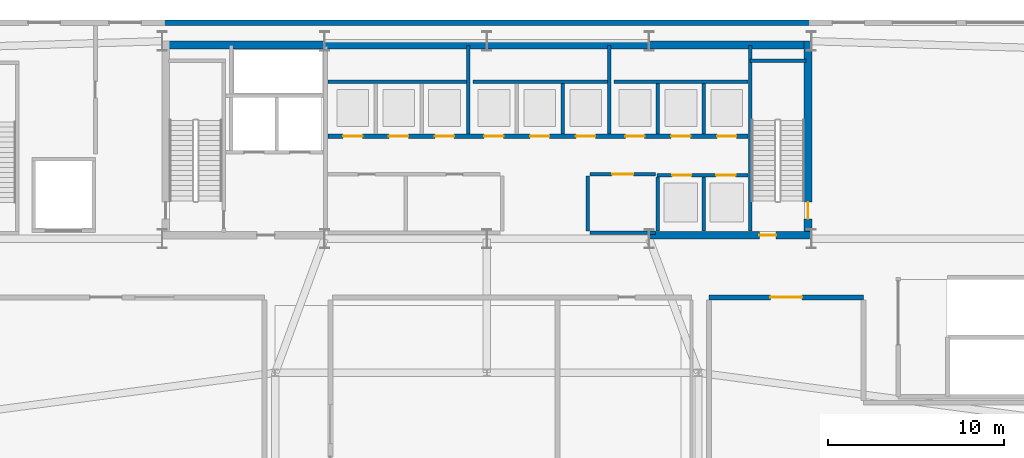
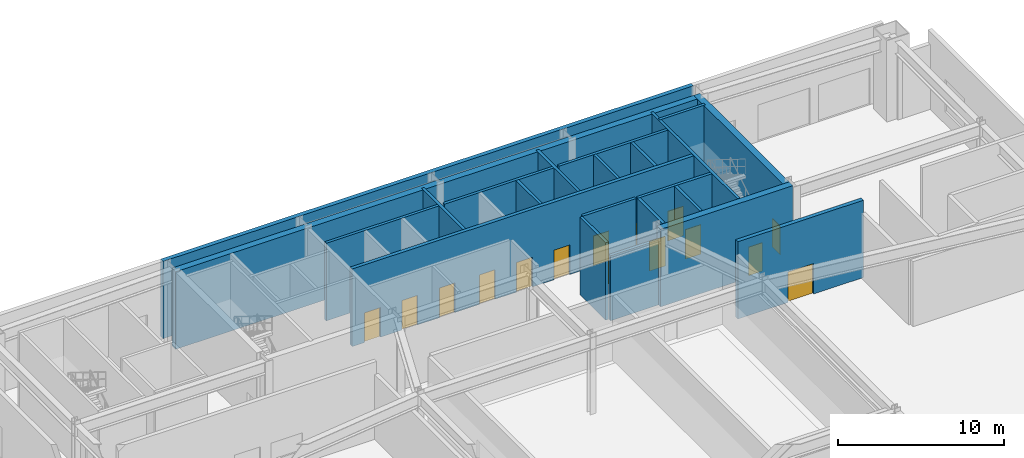
# One storey, part 11 of 17: 22 walls, 15 doors, 15 openings.
"""IFC4 building model written with IfcOpenShell, lengths in metres."""

from ifc_helpers import new_model, si_unit, direction, frame, frame_2d, origin, place, context, subcontext, project, spatial, rectangle, extrude, source, transform, mapped, material, layer, layer_set, type_object, type_shapes, element, fill, save


model = new_model("IFC4")

# Units and contexts
model_context = context("Model", 3, precision=1e-05, world=origin(), true_north=direction((0.0, 1.0)))
body_context = subcontext(model_context, "Body", "Model", "MODEL_VIEW")
ifc_project = project(units=[si_unit("LENGTHUNIT", "METRE"), si_unit("AREAUNIT", "SQUARE_METRE"), si_unit("VOLUMEUNIT", "CUBIC_METRE"), si_unit("PLANEANGLEUNIT", "RADIAN"), si_unit("MASSUNIT", "GRAM", prefix="KILO")], contexts=[model_context])

# Site, building, storey
site_placement = place(None, origin())
site = spatial("IfcSite", under=ifc_project, at=site_placement, CompositionType="ELEMENT")
building_placement = place(site_placement, origin())
building = spatial("IfcBuilding", under=site, at=building_placement, Name="Varnel Quay Broadcast Tower", CompositionType="ELEMENT")
storey_placement = place(building_placement, origin())
storey = spatial("IfcBuildingStorey", under=building, at=storey_placement, Name="L00", CompositionType="ELEMENT", Elevation=0.0)

# Walls
ifc_material_1 = material(Name="Concrete CSA A23.3 C50/60", Category="concrete")
ifc_layer_1 = layer(ifc_material_1, 0.199951171875, Name="Concrete CSA A23.3 C50/60")
ifc_layer_set_1 = layer_set([ifc_layer_1], Name="Concrete CSA A23.3 C50/60")
wall_type_1 = type_object("IfcWallType", Name="Wall_CoreShaftShear200", PredefinedType="SHEAR", material=ifc_layer_set_1)
wall_1_placement = place(storey_placement, frame((48.919921875, 36.050048828125, 0.0), z_axis=(0.0, 0.0, 1.0), x_axis=(0.0, 1.0, 0.0)))
element("IfcWall", 1, at=wall_1_placement, inside=storey, type_object=wall_type_1, Name="L00 Stair 2 West Structural Wall", PredefinedType="SHEAR", context=body_context, shape_type="SweptSolid", body=[
    extrude(rectangle(XDim=10.5, YDim=0.199951171875, at=frame_2d((5.25, 0.0))), origin(), (0.0, 0.0, 1.0), 5.719970703125),
])
wall_2_placement = place(storey_placement, frame((48.919921875, 45.679931640625, 0.0), z_axis=(0.0, 0.0, 1.0), x_axis=(1.0, 0.0, 0.0)))
element("IfcWall", 2, at=wall_2_placement, inside=storey, type_object=wall_type_1, Name="L00 Stair 2 North Structural Wall", PredefinedType="SHEAR", context=body_context, shape_type="SweptSolid", body=[
    extrude(rectangle(XDim=3.18017578125, YDim=0.199951171875, at=frame_2d((1.590087890625, 0.0))), origin(), (0.0, 0.0, 1.0), 5.719970703125),
])
wall_3_placement = place(storey_placement, frame((24.97998046875, 44.5, 0.0), z_axis=(0.0, 0.0, 1.0), x_axis=(1.0, 0.0, 0.0)))
element("IfcWall", 3, at=wall_3_placement, inside=storey, type_object=wall_type_1, Name="L00 Low-Rise Lift Shaft Rear Wall", PredefinedType="SHEAR", context=body_context, shape_type="SweptSolid", body=[
    extrude(rectangle(XDim=7.8701171875, YDim=0.199951171875, at=frame_2d((3.93505859375, 0.0))), origin(), (0.0, 0.0, 1.0), 5.719970703125),
])
wall_4_placement = place(storey_placement, frame((32.949951171875, 41.530029296875, 0.0), z_axis=(0.0, 0.0, 1.0), x_axis=(0.0, 1.0, 0.0)))
element("IfcWall", 4, at=wall_4_placement, inside=storey, type_object=wall_type_1, Name="L00 Low-Rise Lift Shaft Divider 3", PredefinedType="SHEAR", context=body_context, shape_type="SweptSolid", body=[
    extrude(rectangle(XDim=5.02001953125, YDim=0.199951171875, at=frame_2d((2.510009765625, 0.0))), origin(), (0.0, 0.0, 1.0), 5.719970703125),
])
wall_5_placement = place(storey_placement, frame((33.219970703125, 44.5, 0.0), z_axis=(0.0, 0.0, 1.0), x_axis=(1.0, 0.0, 0.0)))
element("IfcWall", 5, at=wall_5_placement, inside=storey, type_object=wall_type_1, Name="L00 Mid-Rise Lift Shaft Rear Wall", PredefinedType="SHEAR", context=body_context, shape_type="SweptSolid", body=[
    extrude(rectangle(XDim=7.630126953125, YDim=0.199951171875, at=frame_2d((3.81494140625, 0.0))), origin(), (0.0, 0.0, 1.0), 5.719970703125),
])
wall_6_placement = place(storey_placement, frame((38.300048828125, 41.530029296875, 0.0), z_axis=(0.0, 0.0, 1.0), x_axis=(0.0, 1.0, 0.0)))
element("IfcWall", 6, at=wall_6_placement, inside=storey, type_object=wall_type_1, Name="L00 Mid-Rise Lift Shaft Divider 3", PredefinedType="SHEAR", context=body_context, shape_type="SweptSolid", body=[
    extrude(rectangle(XDim=2.869873046875, YDim=0.199951171875, at=frame_2d((1.43505859375, 0.0))), origin(), (0.0, 0.0, 1.0), 5.719970703125),
])
wall_7_placement = place(storey_placement, frame((40.949951171875, 41.530029296875, 0.0), z_axis=(0.0, 0.0, 1.0), x_axis=(0.0, 1.0, 0.0)))
element("IfcWall", 7, at=wall_7_placement, inside=storey, type_object=wall_type_1, Name="L00 Mid-Rise Lift Shaft Divider 4", PredefinedType="SHEAR", context=body_context, shape_type="SweptSolid", body=[
    extrude(rectangle(XDim=5.02001953125, YDim=0.199951171875, at=frame_2d((2.510009765625, 0.0))), origin(), (0.0, 0.0, 1.0), 5.719970703125),
])
wall_8_placement = place(storey_placement, frame((41.219970703125, 44.5, 0.0), z_axis=(0.0, 0.0, 1.0), x_axis=(1.0, 0.0, 0.0)))
element("IfcWall", 8, at=wall_8_placement, inside=storey, type_object=wall_type_1, Name="L00 High-Rise Lift Shaft Rear Wall", PredefinedType="SHEAR", context=body_context, shape_type="SweptSolid", body=[
    extrude(rectangle(XDim=7.580078125, YDim=0.199951171875, at=frame_2d((3.7900390625, 0.0))), origin(), (0.0, 0.0, 1.0), 5.719970703125),
])
for number, where, z_axis, x_axis, name in (
    (9, (43.699951171875, 41.530029296875, 0.0), (0.0, 0.0, 1.0), (0.0, 1.0, 0.0), "L00 High-Rise Lift Shaft Divider 2"),
    (10, (46.300048828125, 41.530029296875, 0.0), (0.0, 0.0, 1.0), (0.0, 1.0, 0.0), "L00 High-Rise Lift Shaft Divider 3"),
):
    element("IfcWall", number, at=place(storey_placement, frame(where, z_axis=z_axis, x_axis=x_axis)), inside=storey, type_object=wall_type_1, Name=name, PredefinedType="SHEAR", context=body_context, shape_type="SweptSolid", body=[
        extrude(rectangle(XDim=2.869873046875, YDim=0.199951171875, at=frame_2d((1.43505859375, 0.0))), origin(), (0.0, 0.0, 1.0), 5.719970703125),
    ])
for number, where, z_axis, x_axis, name in (
    (11, (43.699951171875, 36.050048828125, 0.0), (0.0, 0.0, 1.0), (0.0, 1.0, 0.0), "L00 Express Lift Shaft West Wall"),
    (12, (46.300048828125, 36.050048828125, 0.0), (0.0, 0.0, 1.0), (0.0, 1.0, 0.0), "L00 Express Lift Shaft Divider"),
):
    element("IfcWall", number, at=place(storey_placement, frame(where, z_axis=z_axis, x_axis=x_axis)), inside=storey, type_object=wall_type_1, Name=name, PredefinedType="SHEAR", context=body_context, shape_type="SweptSolid", body=[
        extrude(rectangle(XDim=3.050048828125, YDim=0.199951171875, at=frame_2d((1.52490234375, 0.0))), origin(), (0.0, 0.0, 1.0), 5.719970703125),
    ])

# Wall, openings, doors
wall_9_placement = place(storey_placement, frame((43.64990234375, 39.199951171875, 0.0), z_axis=(0.0, 0.0, 1.0), x_axis=(1.0, 0.0, 0.0)))
wall_9 = element("IfcWall", 13, at=wall_9_placement, inside=storey, type_object=wall_type_1, Name="L00 Express Lift Shaft North Front Wall", PredefinedType="SHEAR", context=body_context, shape_type="SweptSolid", body=[
    extrude(rectangle(XDim=5.150146484375, YDim=0.199951171875, at=frame_2d((2.5751953125, 0.0))), origin(), (0.0, 0.0, 1.0), 5.719970703125),
])
opening_1_placement = place(wall_9_placement, frame((0.85009765625, 0.0, 0.0)))
opening_1 = element("IfcOpeningElement", 14, at=opening_1_placement, cuts=wall_9, Name="Opening LD-L00-PO1", PredefinedType="OPENING", context=body_context, shape_type="SweptSolid", body=[
    extrude(rectangle(XDim=1.10009765625, YDim=2.179931640625, at=frame_2d((0.550048828125, 1.08984375))), frame((0.0, 0.10986328125, 0.0), z_axis=(0.0, -1.0, 0.0), x_axis=(1.0, 0.0, 0.0)), (0.0, 0.0, 1.0), 0.219970703125),
])
opening_2_placement = place(wall_9_placement, frame((3.35009765625, 0.0, 0.0)))
opening_2 = element("IfcOpeningElement", 15, at=opening_2_placement, cuts=wall_9, Name="Opening LD-L00-PO2", PredefinedType="OPENING", context=body_context, shape_type="SweptSolid", body=[
    extrude(rectangle(XDim=1.10009765625, YDim=2.179931640625, at=frame_2d((0.550048828125, 1.08984375))), frame((0.0, 0.10986328125, 0.0), z_axis=(0.0, -1.0, 0.0), x_axis=(1.0, 0.0, 0.0)), (0.0, 0.0, 1.0), 0.219970703125),
])
ifc_material_2 = material(Name="Brushed Bronze-Stainless Lift Car & Sliding Doors", Category="steel")
door_type_1 = type_object("IfcDoorType", Name="Door_LiftLanding1100", OperationType="SLIDING_TO_LEFT", PredefinedType="DOOR", material=ifc_material_2)
shared_shape_1 = source(origin(), body_context, "Body", "SweptSolid", [
    extrude(rectangle(XDim=1.10009765625, YDim=2.179931640625, at=frame_2d((0.550048828125, 1.08984375))), frame((0.0, 0.02490234375, 0.0), z_axis=(0.0, -1.0, 0.0), x_axis=(1.0, 0.0, 0.0)), (0.0, 0.0, 1.0), 0.050048828125),
])
type_shapes(door_type_1, [shared_shape_1])
door_1_placement = place(opening_1_placement, origin())
door_1 = element("IfcDoor", 16, at=door_1_placement, inside=storey, type_object=door_type_1, Name="L00 Express Lift PO-01 Landing Door", OperationType="SLIDING_TO_LEFT", OverallHeight=2.179931640625, OverallWidth=1.10009765625, PredefinedType="DOOR", context=body_context, shape_type="MappedRepresentation", body=[
    mapped(shared_shape_1, transform((0.0, 0.0, 0.0), x_axis=(1.0, 0.0, 0.0), y_axis=(0.0, 1.0, 0.0), z_axis=(0.0, 0.0, 1.0), scale=1.0)),
])
fill(opening_1, door_1)
door_2_placement = place(opening_2_placement, origin())
door_2 = element("IfcDoor", 17, at=door_2_placement, inside=storey, type_object=door_type_1, Name="L00 Express Lift PO-02 Landing Door", OperationType="SLIDING_TO_RIGHT", OverallHeight=2.179931640625, OverallWidth=1.10009765625, PredefinedType="DOOR", context=body_context, shape_type="MappedRepresentation", body=[
    mapped(shared_shape_1, transform((0.0, 0.0, 0.0), x_axis=(1.0, 0.0, 0.0), y_axis=(0.0, 1.0, 0.0), z_axis=(0.0, 0.0, 1.0), scale=1.0)),
])
fill(opening_2, door_2)

ifc_layer_2 = layer(ifc_material_1, 0.25, Name="Concrete CSA A23.3 C50/60")
ifc_layer_set_2 = layer_set([ifc_layer_2], Name="Concrete CSA A23.3 C50/60")
wall_type_2 = type_object("IfcWallType", Name="Wall_CoreShaftShear250", PredefinedType="SHEAR", material=ifc_layer_set_2)
wall_10_placement = place(storey_placement, frame((24.97998046875, 41.39990234375, 0.0), z_axis=(0.0, 0.0, 1.0), x_axis=(1.0, 0.0, 0.0)))
wall_10 = element("IfcWall", 18, at=wall_10_placement, inside=storey, type_object=wall_type_2, Name="L00 North Lift Bank & Reclaimed Suite Wall", PredefinedType="SHEAR", context=body_context, shape_type="SweptSolid", body=[
    extrude(rectangle(XDim=23.820068359375, YDim=0.25, at=frame_2d((11.91015625, 0.0))), origin(), (0.0, 0.0, 1.0), 5.719970703125),
])
opening_3_placement = place(wall_10_placement, frame((0.8701171875, 0.0, 0.0)))
opening_3 = element("IfcOpeningElement", 19, at=opening_3_placement, cuts=wall_10, Name="Opening LD-L00-PL-01", PredefinedType="OPENING", context=body_context, shape_type="SweptSolid", body=[
    extrude(rectangle(XDim=1.10009765625, YDim=2.179931640625, at=frame_2d((0.550048828125, 1.08984375))), frame((0.0, 0.135009765625, 0.0), z_axis=(0.0, -1.0, 0.0), x_axis=(1.0, 0.0, 0.0)), (0.0, 0.0, 1.0), 0.27001953125),
])
opening_4_placement = place(wall_10_placement, frame((3.469970703125, 0.0, 0.0)))
opening_4 = element("IfcOpeningElement", 20, at=opening_4_placement, cuts=wall_10, Name="Opening LD-L00-PL-02", PredefinedType="OPENING", context=body_context, shape_type="SweptSolid", body=[
    extrude(rectangle(XDim=1.10009765625, YDim=2.179931640625, at=frame_2d((0.550048828125, 1.08984375))), frame((0.0, 0.135009765625, 0.0), z_axis=(0.0, -1.0, 0.0), x_axis=(1.0, 0.0, 0.0)), (0.0, 0.0, 1.0), 0.27001953125),
])
opening_5_placement = place(wall_10_placement, frame((6.070068359375, 0.0, 0.0)))
opening_5 = element("IfcOpeningElement", 21, at=opening_5_placement, cuts=wall_10, Name="Opening LD-L00-PL-03", PredefinedType="OPENING", context=body_context, shape_type="SweptSolid", body=[
    extrude(rectangle(XDim=1.10009765625, YDim=2.179931640625, at=frame_2d((0.550048828125, 1.08984375))), frame((0.0, 0.135009765625, 0.0), z_axis=(0.0, -1.0, 0.0), x_axis=(1.0, 0.0, 0.0)), (0.0, 0.0, 1.0), 0.27001953125),
])
opening_6_placement = place(wall_10_placement, frame((8.8701171875, 0.0, 0.0)))
opening_6 = element("IfcOpeningElement", 22, at=opening_6_placement, cuts=wall_10, Name="Opening LD-L00-PM-01", PredefinedType="OPENING", context=body_context, shape_type="SweptSolid", body=[
    extrude(rectangle(XDim=1.10009765625, YDim=2.179931640625, at=frame_2d((0.550048828125, 1.08984375))), frame((0.0, 0.135009765625, 0.0), z_axis=(0.0, -1.0, 0.0), x_axis=(1.0, 0.0, 0.0)), (0.0, 0.0, 1.0), 0.27001953125),
])
opening_7_placement = place(wall_10_placement, frame((11.469970703125, 0.0, 0.0)))
opening_7 = element("IfcOpeningElement", 23, at=opening_7_placement, cuts=wall_10, Name="Opening LD-L00-PM-02", PredefinedType="OPENING", context=body_context, shape_type="SweptSolid", body=[
    extrude(rectangle(XDim=1.10009765625, YDim=2.179931640625, at=frame_2d((0.550048828125, 1.08984375))), frame((0.0, 0.135009765625, 0.0), z_axis=(0.0, -1.0, 0.0), x_axis=(1.0, 0.0, 0.0)), (0.0, 0.0, 1.0), 0.27001953125),
])
opening_8_placement = place(wall_10_placement, frame((14.070068359375, 0.0, 0.0)))
opening_8 = element("IfcOpeningElement", 24, at=opening_8_placement, cuts=wall_10, Name="Opening LD-L00-PM-03", PredefinedType="OPENING", context=body_context, shape_type="SweptSolid", body=[
    extrude(rectangle(XDim=1.10009765625, YDim=2.179931640625, at=frame_2d((0.550048828125, 1.08984375))), frame((0.0, 0.135009765625, 0.0), z_axis=(0.0, -1.0, 0.0), x_axis=(1.0, 0.0, 0.0)), (0.0, 0.0, 1.0), 0.27001953125),
])
opening_9_placement = place(wall_10_placement, frame((16.8701171875, 0.0, 0.0)))
opening_9 = element("IfcOpeningElement", 25, at=opening_9_placement, cuts=wall_10, Name="Opening LD-L00-PH-01", PredefinedType="OPENING", context=body_context, shape_type="SweptSolid", body=[
    extrude(rectangle(XDim=1.10009765625, YDim=2.179931640625, at=frame_2d((0.550048828125, 1.08984375))), frame((0.0, 0.135009765625, 0.0), z_axis=(0.0, -1.0, 0.0), x_axis=(1.0, 0.0, 0.0)), (0.0, 0.0, 1.0), 0.27001953125),
])
opening_10_placement = place(wall_10_placement, frame((19.469970703125, 0.0, 0.0)))
opening_10 = element("IfcOpeningElement", 26, at=opening_10_placement, cuts=wall_10, Name="Opening LD-L00-PH-02", PredefinedType="OPENING", context=body_context, shape_type="SweptSolid", body=[
    extrude(rectangle(XDim=1.10009765625, YDim=2.179931640625, at=frame_2d((0.550048828125, 1.08984375))), frame((0.0, 0.135009765625, 0.0), z_axis=(0.0, -1.0, 0.0), x_axis=(1.0, 0.0, 0.0)), (0.0, 0.0, 1.0), 0.27001953125),
])
opening_11_placement = place(wall_10_placement, frame((22.070068359375, 0.0, 0.0)))
opening_11 = element("IfcOpeningElement", 27, at=opening_11_placement, cuts=wall_10, Name="Opening LD-L00-PH-03", PredefinedType="OPENING", context=body_context, shape_type="SweptSolid", body=[
    extrude(rectangle(XDim=1.10009765625, YDim=2.179931640625, at=frame_2d((0.550048828125, 1.08984375))), frame((0.0, 0.135009765625, 0.0), z_axis=(0.0, -1.0, 0.0), x_axis=(1.0, 0.0, 0.0)), (0.0, 0.0, 1.0), 0.27001953125),
])
door_3_placement = place(opening_3_placement, frame((1.10009765625, 0.0, 0.0), z_axis=(0.0, 0.0, 1.0), x_axis=(-1.0, 0.0, 0.0)))
door_3 = element("IfcDoor", 28, at=door_3_placement, inside=storey, type_object=door_type_1, Name="L00 Lift PL-01 Landing Door", OperationType="SLIDING_TO_LEFT", OverallHeight=2.179931640625, OverallWidth=1.10009765625, PredefinedType="DOOR", context=body_context, shape_type="MappedRepresentation", body=[
    mapped(shared_shape_1, transform((0.0, 0.0, 0.0), x_axis=(1.0, 0.0, 0.0), y_axis=(0.0, 1.0, 0.0), z_axis=(0.0, 0.0, 1.0), scale=1.0)),
])
fill(opening_3, door_3)
door_4_placement = place(opening_4_placement, frame((1.10009765625, 0.0, 0.0), z_axis=(0.0, 0.0, 1.0), x_axis=(-1.0, 0.0, 0.0)))
door_4 = element("IfcDoor", 29, at=door_4_placement, inside=storey, type_object=door_type_1, Name="L00 Lift PL-02 Landing Door", OperationType="SLIDING_TO_LEFT", OverallHeight=2.179931640625, OverallWidth=1.10009765625, PredefinedType="DOOR", context=body_context, shape_type="MappedRepresentation", body=[
    mapped(shared_shape_1, transform((0.0, 0.0, 0.0), x_axis=(1.0, 0.0, 0.0), y_axis=(0.0, 1.0, 0.0), z_axis=(0.0, 0.0, 1.0), scale=1.0)),
])
fill(opening_4, door_4)
door_5_placement = place(opening_5_placement, frame((1.10009765625, 0.0, 0.0), z_axis=(0.0, 0.0, 1.0), x_axis=(-1.0, 0.0, 0.0)))
door_5 = element("IfcDoor", 30, at=door_5_placement, inside=storey, type_object=door_type_1, Name="L00 Lift PL-03 Landing Door", OperationType="SLIDING_TO_LEFT", OverallHeight=2.179931640625, OverallWidth=1.10009765625, PredefinedType="DOOR", context=body_context, shape_type="MappedRepresentation", body=[
    mapped(shared_shape_1, transform((0.0, 0.0, 0.0), x_axis=(1.0, 0.0, 0.0), y_axis=(0.0, 1.0, 0.0), z_axis=(0.0, 0.0, 1.0), scale=1.0)),
])
fill(opening_5, door_5)
door_6_placement = place(opening_6_placement, frame((1.10009765625, 0.0, 0.0), z_axis=(0.0, 0.0, 1.0), x_axis=(-1.0, 0.0, 0.0)))
door_6 = element("IfcDoor", 31, at=door_6_placement, inside=storey, type_object=door_type_1, Name="L00 Lift PM-01 Landing Door", OperationType="SLIDING_TO_LEFT", OverallHeight=2.179931640625, OverallWidth=1.10009765625, PredefinedType="DOOR", context=body_context, shape_type="MappedRepresentation", body=[
    mapped(shared_shape_1, transform((0.0, 0.0, 0.0), x_axis=(1.0, 0.0, 0.0), y_axis=(0.0, 1.0, 0.0), z_axis=(0.0, 0.0, 1.0), scale=1.0)),
])
fill(opening_6, door_6)
door_7_placement = place(opening_7_placement, frame((1.10009765625, 0.0, 0.0), z_axis=(0.0, 0.0, 1.0), x_axis=(-1.0, 0.0, 0.0)))
door_7 = element("IfcDoor", 32, at=door_7_placement, inside=storey, type_object=door_type_1, Name="L00 Lift PM-02 Landing Door", OperationType="SLIDING_TO_LEFT", OverallHeight=2.179931640625, OverallWidth=1.10009765625, PredefinedType="DOOR", context=body_context, shape_type="MappedRepresentation", body=[
    mapped(shared_shape_1, transform((0.0, 0.0, 0.0), x_axis=(1.0, 0.0, 0.0), y_axis=(0.0, 1.0, 0.0), z_axis=(0.0, 0.0, 1.0), scale=1.0)),
])
fill(opening_7, door_7)
door_8_placement = place(opening_8_placement, frame((1.10009765625, 0.0, 0.0), z_axis=(0.0, 0.0, 1.0), x_axis=(-1.0, 0.0, 0.0)))
door_8 = element("IfcDoor", 33, at=door_8_placement, inside=storey, type_object=door_type_1, Name="L00 Lift PM-03 Landing Door", OperationType="SLIDING_TO_LEFT", OverallHeight=2.179931640625, OverallWidth=1.10009765625, PredefinedType="DOOR", context=body_context, shape_type="MappedRepresentation", body=[
    mapped(shared_shape_1, transform((0.0, 0.0, 0.0), x_axis=(1.0, 0.0, 0.0), y_axis=(0.0, 1.0, 0.0), z_axis=(0.0, 0.0, 1.0), scale=1.0)),
])
fill(opening_8, door_8)
door_9_placement = place(opening_9_placement, frame((1.10009765625, 0.0, 0.0), z_axis=(0.0, 0.0, 1.0), x_axis=(-1.0, 0.0, 0.0)))
door_9 = element("IfcDoor", 34, at=door_9_placement, inside=storey, type_object=door_type_1, Name="L00 Lift PH-01 Landing Door", OperationType="SLIDING_TO_LEFT", OverallHeight=2.179931640625, OverallWidth=1.10009765625, PredefinedType="DOOR", context=body_context, shape_type="MappedRepresentation", body=[
    mapped(shared_shape_1, transform((0.0, 0.0, 0.0), x_axis=(1.0, 0.0, 0.0), y_axis=(0.0, 1.0, 0.0), z_axis=(0.0, 0.0, 1.0), scale=1.0)),
])
fill(opening_9, door_9)
door_10_placement = place(opening_10_placement, frame((1.10009765625, 0.0, 0.0), z_axis=(0.0, 0.0, 1.0), x_axis=(-1.0, 0.0, 0.0)))
door_10 = element("IfcDoor", 35, at=door_10_placement, inside=storey, type_object=door_type_1, Name="L00 Lift PH-02 Landing Door", OperationType="SLIDING_TO_LEFT", OverallHeight=2.179931640625, OverallWidth=1.10009765625, PredefinedType="DOOR", context=body_context, shape_type="MappedRepresentation", body=[
    mapped(shared_shape_1, transform((0.0, 0.0, 0.0), x_axis=(1.0, 0.0, 0.0), y_axis=(0.0, 1.0, 0.0), z_axis=(0.0, 0.0, 1.0), scale=1.0)),
])
fill(opening_10, door_10)
door_11_placement = place(opening_11_placement, frame((1.10009765625, 0.0, 0.0), z_axis=(0.0, 0.0, 1.0), x_axis=(-1.0, 0.0, 0.0)))
door_11 = element("IfcDoor", 36, at=door_11_placement, inside=storey, type_object=door_type_1, Name="L00 Lift PH-03 Landing Door", OperationType="SLIDING_TO_LEFT", OverallHeight=2.179931640625, OverallWidth=1.10009765625, PredefinedType="DOOR", context=body_context, shape_type="MappedRepresentation", body=[
    mapped(shared_shape_1, transform((0.0, 0.0, 0.0), x_axis=(1.0, 0.0, 0.0), y_axis=(0.0, 1.0, 0.0), z_axis=(0.0, 0.0, 1.0), scale=1.0)),
])
fill(opening_11, door_11)

# Wall
ifc_material_3 = material(Name="Concrete CSA A23.3 C60/75", Category="concrete")
ifc_layer_3 = layer(ifc_material_3, 0.449951171875, Name="Concrete CSA A23.3 C60/75")
ifc_layer_set_3 = layer_set([ifc_layer_3], Name="Concrete CSA A23.3 C60/75")
wall_type_3 = type_object("IfcWallType", Name="Wall_CoreShearInt450", PredefinedType="SHEAR", material=ifc_layer_set_3)
wall_11_placement = place(storey_placement, frame((15.60009765625, 46.574951171875, 0.0), z_axis=(0.0, 0.0, 1.0), x_axis=(1.0, 0.0, 0.0)))
element("IfcWall", 37, at=wall_11_placement, inside=storey, type_object=wall_type_3, Name="L00 North Core Shear Wall", PredefinedType="SHEAR", context=body_context, shape_type="SweptSolid", body=[
    extrude(rectangle(XDim=36.7998046875, YDim=0.449951171875, at=frame_2d((18.39990234375, 0.0))), origin(), (0.0, 0.0, 1.0), 5.719970703125),
])

# Wall, opening, door
wall_12_placement = place(storey_placement, frame((52.205078125, 35.570068359375, 0.0), z_axis=(0.0, 0.0, 1.0), x_axis=(0.0, 1.0, 0.0)))
wall_12 = element("IfcWall", 38, at=wall_12_placement, inside=storey, type_object=wall_type_3, Name="L00 East Core Shear Wall", PredefinedType="SHEAR", context=body_context, shape_type="SweptSolid", body=[
    extrude(rectangle(XDim=11.22998046875, YDim=0.449951171875, at=frame_2d((5.614990234375, 0.0))), origin(), (0.0, 0.0, 1.0), 5.719970703125),
])
opening_12_placement = place(wall_12_placement, frame((1.14990234375, 0.0, 0.0)))
opening_12 = element("IfcOpeningElement", 39, at=opening_12_placement, cuts=wall_12, Name="Opening D-L00-S2X", PredefinedType="OPENING", context=body_context, shape_type="SweptSolid", body=[
    extrude(rectangle(XDim=0.949951171875, YDim=2.10009765625, at=frame_2d((0.47509765625, 1.050048828125))), frame((0.0, 0.23486328125, 0.0), z_axis=(0.0, -1.0, 0.0), x_axis=(1.0, 0.0, 0.0)), (0.0, 0.0, 1.0), 0.469970703125),
])
ifc_material_4 = material(Name="Insulated Fire-Rated Hollow Steel Door", Category="steel")
door_type_2 = type_object("IfcDoorType", Name="Door_FireStair950", OperationType="NOTDEFINED", PredefinedType="DOOR", material=ifc_material_4)
shared_shape_2 = source(origin(), body_context, "Body", "SweptSolid", [
    extrude(rectangle(XDim=0.949951171875, YDim=2.10009765625, at=frame_2d((0.47509765625, 1.050048828125))), frame((0.0, 0.02490234375, 0.0), z_axis=(0.0, -1.0, 0.0), x_axis=(1.0, 0.0, 0.0)), (0.0, 0.0, 1.0), 0.050048828125),
])
type_shapes(door_type_2, [shared_shape_2])
door_12_placement = place(opening_12_placement, frame((0.949951171875, 0.0, 0.0), z_axis=(0.0, 0.0, 1.0), x_axis=(-1.0, 0.0, 0.0)))
door_12 = element("IfcDoor", 40, at=door_12_placement, inside=storey, type_object=door_type_2, Name="L00 Stair 2 Protected Exit Passage Discharge Door", OperationType="SINGLE_SWING_RIGHT", OverallHeight=2.10009765625, OverallWidth=0.949951171875, PredefinedType="DOOR", context=body_context, shape_type="MappedRepresentation", body=[
    mapped(shared_shape_2, transform((0.0, 0.0, 0.0), x_axis=(1.0, 0.0, 0.0), y_axis=(0.0, 1.0, 0.0), z_axis=(0.0, 0.0, 1.0), scale=1.0)),
])
fill(opening_12, door_12)

wall_13_placement = place(storey_placement, frame((43.199951171875, 35.794921875, 0.0), z_axis=(0.0, 0.0, 1.0), x_axis=(1.0, 0.0, 0.0)))
wall_13 = element("IfcWall", 41, at=wall_13_placement, inside=storey, type_object=wall_type_3, Name="L00 South-East Core Shear Wall", PredefinedType="SHEAR", context=body_context, shape_type="SweptSolid", body=[
    extrude(rectangle(XDim=9.22998046875, YDim=0.449951171875, at=frame_2d((4.614990234375, 0.0))), origin(), (0.0, 0.0, 1.0), 5.719970703125),
])
opening_13_placement = place(wall_13_placement, frame((6.25, 0.0, 0.0)))
opening_13 = element("IfcOpeningElement", 42, at=opening_13_placement, cuts=wall_13, Name="Opening D-L00-S2", PredefinedType="OPENING", context=body_context, shape_type="SweptSolid", body=[
    extrude(rectangle(XDim=0.949951171875, YDim=2.10009765625, at=frame_2d((0.47509765625, 1.050048828125))), frame((0.0, 0.23486328125, 0.0), z_axis=(0.0, -1.0, 0.0), x_axis=(1.0, 0.0, 0.0)), (0.0, 0.0, 1.0), 0.469970703125),
])
door_13_placement = place(opening_13_placement, origin())
door_13 = element("IfcDoor", 43, at=door_13_placement, inside=storey, type_object=door_type_2, Name="L00 Stair 2 Fire Door", OperationType="SINGLE_SWING_LEFT", OverallHeight=2.10009765625, OverallWidth=0.949951171875, PredefinedType="DOOR", context=body_context, shape_type="MappedRepresentation", body=[
    mapped(shared_shape_2, transform((0.0, 0.0, 0.0), x_axis=(1.0, 0.0, 0.0), y_axis=(0.0, 1.0, 0.0), z_axis=(0.0, 0.0, 1.0), scale=1.0)),
])
fill(opening_13, door_13)

# Walls
ifc_material_5 = material(Name="Precast Architectural Concrete C40/50", Category="concrete")
ifc_layer_4 = layer(ifc_material_5, 0.300048828125, Name="Precast Architectural Concrete C40/50")
ifc_layer_set_4 = layer_set([ifc_layer_4], Name="Precast Architectural Concrete C40/50")
wall_type_4 = type_object("IfcWallType", Name="Wall_ExtPodium300", PredefinedType="SOLIDWALL", material=ifc_layer_set_4)
wall_14_placement = place(storey_placement, frame((15.5, 47.85009765625, 0.0), z_axis=(0.0, 0.0, 1.0), x_axis=(1.0, 0.0, 0.0)))
element("IfcWall", 44, at=wall_14_placement, inside=storey, type_object=wall_type_4, Name="L00 North Core Podium Cladding Wall", PredefinedType="SOLIDWALL", context=body_context, shape_type="SweptSolid", body=[
    extrude(rectangle(XDim=37.0, YDim=0.300048828125, at=frame_2d((18.5, 0.0))), origin(), (0.0, 0.0, 1.0), 5.699951171875),
])
ifc_material_6 = material(Name="Concrete Blockwork Fire Enclosure C40/50", Category="masonry")
ifc_layer_5 = layer(ifc_material_6, 0.199951171875, Name="Concrete Blockwork Fire Enclosure C40/50")
ifc_layer_set_5 = layer_set([ifc_layer_5], Name="Concrete Blockwork Fire Enclosure C40/50")
wall_type_5 = type_object("IfcWallType", Name="Wall_FireShaft200", PredefinedType="SOLIDWALL", material=ifc_layer_set_5)
wall_15_placement = place(storey_placement, frame((39.85009765625, 35.925048828125, 0.0), z_axis=(0.0, 0.0, 1.0), x_axis=(1.0, 0.0, 0.0)))
element("IfcWall", 45, at=wall_15_placement, inside=storey, type_object=wall_type_5, Name="L00 Electrical Sub-Distribution Closet Partition 5", PredefinedType="SOLIDWALL", context=body_context, shape_type="SweptSolid", body=[
    extrude(rectangle(XDim=3.699951171875, YDim=0.199951171875, at=frame_2d((1.85009765625, 0.0))), origin(), (0.0, 0.0, 1.0), 4.782958984375),
])

# Wall, opening, door
wall_16_placement = place(storey_placement, frame((39.85009765625, 39.25, 0.0), z_axis=(0.0, 0.0, 1.0), x_axis=(1.0, 0.0, 0.0)))
wall_16 = element("IfcWall", 46, at=wall_16_placement, inside=storey, type_object=wall_type_5, Name="L00 Electrical Sub-Distribution Closet Partition 6", PredefinedType="SOLIDWALL", context=body_context, shape_type="SweptSolid", body=[
    extrude(rectangle(XDim=3.699951171875, YDim=0.199951171875, at=frame_2d((1.85009765625, 0.0))), origin(), (0.0, 0.0, 1.0), 5.699951171875),
])
opening_14_placement = place(wall_16_placement, frame((1.25, 0.0, 0.0)))
opening_14 = element("IfcOpeningElement", 47, at=opening_14_placement, cuts=wall_16, Name="Opening D-L00-03", PredefinedType="OPENING", context=body_context, shape_type="SweptSolid", body=[
    extrude(rectangle(XDim=1.199951171875, YDim=2.10009765625, at=frame_2d((0.60009765625, 1.050048828125))), frame((0.0, 0.10986328125, 0.0), z_axis=(0.0, -1.0, 0.0), x_axis=(1.0, 0.0, 0.0)), (0.0, 0.0, 1.0), 0.219970703125),
])
door_type_3 = type_object("IfcDoorType", Name="Door_Plant1200", OperationType="NOTDEFINED", PredefinedType="DOOR", material=ifc_material_4)
shared_shape_3 = source(origin(), body_context, "Body", "SweptSolid", [
    extrude(rectangle(XDim=1.199951171875, YDim=2.10009765625, at=frame_2d((0.60009765625, 1.050048828125))), frame((0.0, 0.02490234375, 0.0), z_axis=(0.0, -1.0, 0.0), x_axis=(1.0, 0.0, 0.0)), (0.0, 0.0, 1.0), 0.050048828125),
])
type_shapes(door_type_3, [shared_shape_3])
door_14_placement = place(opening_14_placement, origin())
door_14 = element("IfcDoor", 48, at=door_14_placement, inside=storey, type_object=door_type_3, Name="L00 Electrical Sub-Distribution Closet Door D-L00-03", OperationType="SINGLE_SWING_LEFT", OverallHeight=2.10009765625, OverallWidth=1.199951171875, PredefinedType="DOOR", context=body_context, shape_type="MappedRepresentation", body=[
    mapped(shared_shape_3, transform((0.0, 0.0, 0.0), x_axis=(1.0, 0.0, 0.0), y_axis=(0.0, 1.0, 0.0), z_axis=(0.0, 0.0, 1.0), scale=1.0)),
])
fill(opening_14, door_14)

# Wall
wall_17_placement = place(storey_placement, frame((39.72509765625, 36.02490234375, 0.0), z_axis=(0.0, 0.0, 1.0), x_axis=(0.0, 1.0, 0.0)))
element("IfcWall", 49, at=wall_17_placement, inside=storey, type_object=wall_type_5, Name="L00 Electrical Sub-Distribution Closet Partition 7", PredefinedType="SOLIDWALL", context=body_context, shape_type="SweptSolid", body=[
    extrude(rectangle(XDim=3.125, YDim=0.199951171875, at=frame_2d((1.5625, 0.0))), origin(), (0.0, 0.0, 1.0), 5.699951171875),
])

# Wall, opening, door
ifc_material_7 = material(Name="Double-Leaf Isolated Acoustic Studio Wall Concrete C40/50", Category="concrete")
ifc_layer_6 = layer(ifc_material_7, 0.280029296875, Name="Double-Leaf Isolated Acoustic Studio Wall Concrete C40/50")
ifc_layer_set_6 = layer_set([ifc_layer_6], Name="Double-Leaf Isolated Acoustic Studio Wall Concrete C40/50")
wall_type_6 = type_object("IfcWallType", Name="Wall_StudioAcoustic280", PredefinedType="SOLIDWALL", material=ifc_layer_set_6)
wall_18_placement = place(storey_placement, frame((46.60009765625, 32.27490234375, 0.0), z_axis=(0.0, 0.0, 1.0), x_axis=(1.0, 0.0, 0.0)))
wall_18 = element("IfcWall", 50, at=wall_18_placement, inside=storey, type_object=wall_type_6, Name="L00 Television Production Studio B Stage Partition 18", PredefinedType="SOLIDWALL", context=body_context, shape_type="SweptSolid", body=[
    extrude(rectangle(XDim=8.75, YDim=0.280029296875, at=frame_2d((4.375, 0.0))), origin(), (0.0, 0.0, 1.0), 5.699951171875),
])
opening_15_placement = place(wall_18_placement, frame((3.47509765625, 0.0, 0.0)))
opening_15 = element("IfcOpeningElement", 51, at=opening_15_placement, cuts=wall_18, Name="Opening D-L00-07", PredefinedType="OPENING", context=body_context, shape_type="SweptSolid", body=[
    extrude(rectangle(XDim=1.800048828125, YDim=2.25, at=frame_2d((0.89990234375, 1.125))), frame((0.0, 0.14990234375, 0.0), z_axis=(0.0, -1.0, 0.0), x_axis=(1.0, 0.0, 0.0)), (0.0, 0.0, 1.0), 0.300048828125),
])
door_type_4 = type_object("IfcDoorType", Name="Door_StudioSound1800", OperationType="DOUBLE_DOOR_SINGLE_SWING", PredefinedType="DOOR", material=ifc_material_4)
shared_shape_4 = source(origin(), body_context, "Body", "SweptSolid", [
    extrude(rectangle(XDim=1.800048828125, YDim=2.25, at=frame_2d((0.89990234375, 1.125))), frame((0.0, 0.02490234375, 0.0), z_axis=(0.0, -1.0, 0.0), x_axis=(1.0, 0.0, 0.0)), (0.0, 0.0, 1.0), 0.050048828125),
])
type_shapes(door_type_4, [shared_shape_4])
door_15_placement = place(opening_15_placement, frame((1.800048828125, 0.0, 0.0), z_axis=(0.0, 0.0, 1.0), x_axis=(-1.0, 0.0, 0.0)))
door_15 = element("IfcDoor", 52, at=door_15_placement, inside=storey, type_object=door_type_4, Name="L00 Television Production Studio B Stage Door D-L00-07", OperationType="DOUBLE_DOOR_SINGLE_SWING", OverallHeight=2.25, OverallWidth=1.800048828125, PredefinedType="DOOR", context=body_context, shape_type="MappedRepresentation", body=[
    mapped(shared_shape_4, transform((0.0, 0.0, 0.0), x_axis=(1.0, 0.0, 0.0), y_axis=(0.0, 1.0, 0.0), z_axis=(0.0, 0.0, 1.0), scale=1.0)),
])
fill(opening_15, door_15)

save(model, "model.ifc")
